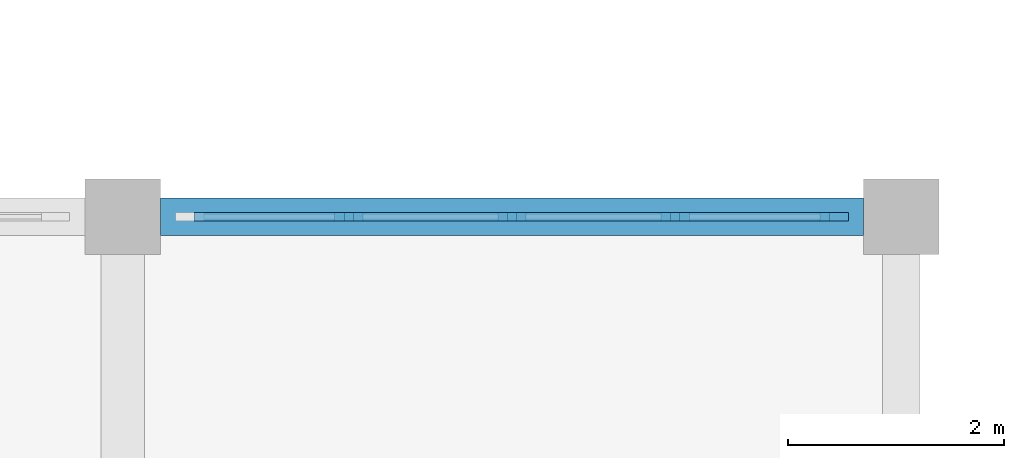
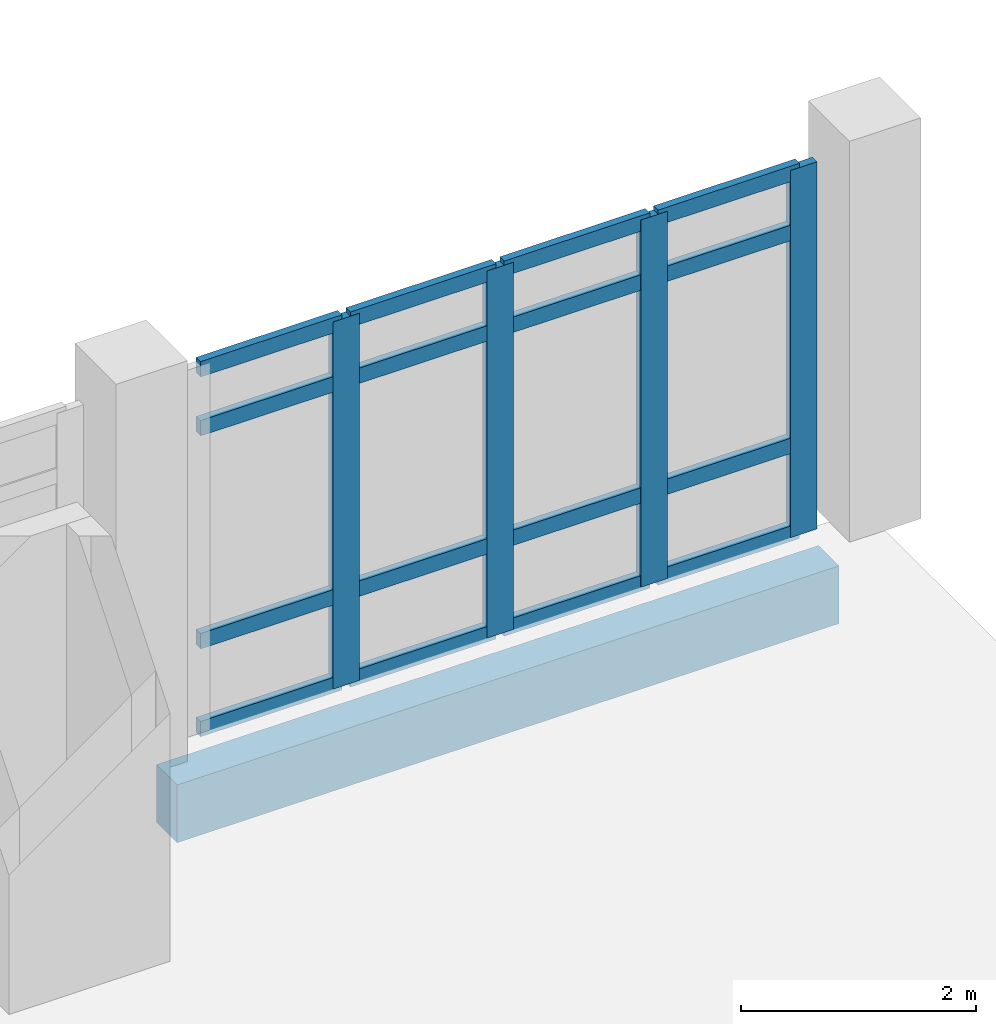
# One storey, part 22 of 62: 20 members, 1 beam, 1 element without a shape of its own.
"""IFC4 building model written with IfcOpenShell, lengths in metres."""

from ifc_helpers import new_model, si_unit, direction, frame, origin, origin_2d, place, context, subcontext, project, spatial, rectangle, extrude, material, layer, layer_set, material_profile, profile_set, type_object, element, aggregate, save


model = new_model("IFC4")

# Units and contexts
model_context = context("Model", 3, precision=1e-05, world=origin(), true_north=direction((0.0, 1.0)))
body_context = subcontext(model_context, "Body", "Model", "MODEL_VIEW")
ifc_project = project(units=[si_unit("LENGTHUNIT", "METRE"), si_unit("AREAUNIT", "SQUARE_METRE"), si_unit("VOLUMEUNIT", "CUBIC_METRE"), si_unit("PLANEANGLEUNIT", "RADIAN"), si_unit("MASSUNIT", "GRAM", prefix="KILO")], contexts=[model_context])

# Site, building, storey
site_placement = place(None, origin())
site = spatial("IfcSite", under=ifc_project, at=site_placement, CompositionType="ELEMENT")
building_placement = place(site_placement, origin())
building = spatial("IfcBuilding", under=site, at=building_placement, Name="Valkovuoma Quantum and Materials Research Institute", CompositionType="ELEMENT")
storey_placement = place(building_placement, frame((0.0, 0.0, 8.9599609375)))
storey = spatial("IfcBuildingStorey", under=building, at=storey_placement, Name="L02", CompositionType="ELEMENT", Elevation=8.9599609375)

# Beam
ifc_material_1 = material(Name="Concrete C40/50", Category="concrete")
ifc_material_profile_1 = material_profile(ifc_material_1, rectangle(XDim=0.35009765625, YDim=0.60009765625, at=origin_2d()), Name="Concrete C40/50")
ifc_profile_set_1 = profile_set([ifc_material_profile_1], Name="Concrete C40/50")
beam_type = type_object("IfcBeamType", Name="Beam-B-SPN600", PredefinedType="SPANDREL", material=ifc_profile_set_1)
beam_placement = place(storey_placement, frame((101.14990234375, 64.800048828125, -0.64990234375), z_axis=(1.0, 0.0, 0.0), x_axis=(0.0, 1.0, 0.0)))
element("IfcBeam", 1, at=beam_placement, inside=storey, type_object=beam_type, Name="L02 beam X-1079", PredefinedType="SPANDREL", context=body_context, shape_type="SweptSolid", body=[
    extrude(rectangle(XDim=0.35009765625, YDim=0.60009765625, at=origin_2d()), origin(), (0.0, 0.0, 1.0), 6.5),
])

# Curtain wall, members
ifc_material_2 = material(Name="Thermally broken aluminium and triple low-E glazing", Category="aluminium")
ifc_layer = layer(ifc_material_2, 0.219970703125)
ifc_layer_set = layer_set([ifc_layer], Name="Thermally broken aluminium and triple low-E glazing")
curtain_wall_type = type_object("IfcCurtainWallType", Name="CW-CW-02", PredefinedType="NOTDEFINED", material=ifc_layer_set)
curtain_wall_placement = place(storey_placement, origin())
curtain_wall = element("IfcCurtainWall", 2, at=curtain_wall_placement, inside=storey, type_object=curtain_wall_type, Name="L02 curtain wall 198", PredefinedType="NOTDEFINED")
ifc_material_3 = material(Name="Anodised aluminium 6060-T66", Category="aluminium")
ifc_material_profile_2 = material_profile(ifc_material_3, rectangle(XDim=0.080078125, YDim=0.260009765625, at=origin_2d()), Name="Anodised aluminium 6060-T66")
ifc_profile_set_2 = profile_set([ifc_material_profile_2], Name="Anodised aluminium 6060-T66")
member_type_1 = type_object("IfcMemberType", Name="CWMull-CWM-03", PredefinedType="MULLION", material=ifc_profile_set_2)
member_1_placement = place(storey_placement, frame((102.889892578125, 64.800048828125, 0.0), z_axis=(0.0, 0.0, 1.0), x_axis=(0.0, 1.0, 0.0)))
member_1 = element("IfcMember", 3, at=member_1_placement, type_object=member_type_1, Name="CW-02 mullion 2", PredefinedType="MULLION", context=body_context, shape_type="SweptSolid", body=[
    extrude(rectangle(XDim=0.080078125, YDim=0.260009765625, at=origin_2d()), origin(), (0.0, 0.0, 1.0), 3.81005859375),
])
member_2_placement = place(storey_placement, frame((104.39990234375, 64.800048828125, 0.0), z_axis=(0.0, 0.0, 1.0), x_axis=(0.0, 1.0, 0.0)))
member_2 = element("IfcMember", 4, at=member_2_placement, type_object=member_type_1, Name="CW-02 mullion 3", PredefinedType="MULLION", context=body_context, shape_type="SweptSolid", body=[
    extrude(rectangle(XDim=0.080078125, YDim=0.260009765625, at=origin_2d()), origin(), (0.0, 0.0, 1.0), 3.81005859375),
])
member_3_placement = place(storey_placement, frame((105.909912109375, 64.800048828125, 0.0), z_axis=(0.0, 0.0, 1.0), x_axis=(0.0, 1.0, 0.0)))
member_3 = element("IfcMember", 5, at=member_3_placement, type_object=member_type_1, Name="CW-02 mullion 4", PredefinedType="MULLION", context=body_context, shape_type="SweptSolid", body=[
    extrude(rectangle(XDim=0.080078125, YDim=0.260009765625, at=origin_2d()), origin(), (0.0, 0.0, 1.0), 3.81005859375),
])
member_4_placement = place(storey_placement, frame((107.3798828125, 64.800048828125, 0.0), z_axis=(0.0, 0.0, 1.0), x_axis=(0.0, 1.0, 0.0)))
member_4 = element("IfcMember", 6, at=member_4_placement, type_object=member_type_1, Name="CW-02 mullion 5", PredefinedType="MULLION", context=body_context, shape_type="SweptSolid", body=[
    extrude(rectangle(XDim=0.080078125, YDim=0.260009765625, at=origin_2d()), origin(), (0.0, 0.0, 1.0), 3.81005859375),
])
ifc_material_4 = material(Name="Anodised aluminium 6060-T66", Category="aluminium")
ifc_material_profile_3 = material_profile(ifc_material_4, rectangle(XDim=0.074951171875, YDim=0.159912109375, at=origin_2d()), Name="Anodised aluminium 6060-T66")
ifc_profile_set_3 = profile_set([ifc_material_profile_3], Name="Anodised aluminium 6060-T66")
member_type_2 = type_object("IfcMemberType", Name="CWTran-CWT-02", PredefinedType="USERDEFINED", material=ifc_profile_set_3)
member_5_placement = place(storey_placement, frame((101.4599609375, 64.800048828125, 0.03759765625), z_axis=(1.0, 0.0, 0.0), x_axis=(0.0, 1.0, 0.0)))
member_5 = element("IfcMember", 7, at=member_5_placement, type_object=member_type_2, Name="CW-02 transom 1.1", ObjectType="TRANSOM", PredefinedType="USERDEFINED", context=body_context, shape_type="SweptSolid", body=[
    extrude(rectangle(XDim=0.074951171875, YDim=0.159912109375, at=origin_2d()), origin(), (0.0, 0.0, 1.0), 1.39013671875),
])
member_6_placement = place(storey_placement, frame((101.4599609375, 64.800048828125, 0.949951171875), z_axis=(1.0, 0.0, 0.0), x_axis=(0.0, 1.0, 0.0)))
member_6 = element("IfcMember", 8, at=member_6_placement, type_object=member_type_2, Name="CW-02 transom 1.2", ObjectType="TRANSOM", PredefinedType="USERDEFINED", context=body_context, shape_type="SweptSolid", body=[
    extrude(rectangle(XDim=0.074951171875, YDim=0.159912109375, at=origin_2d()), origin(), (0.0, 0.0, 1.0), 1.39013671875),
])
member_7_placement = place(storey_placement, frame((101.4599609375, 64.800048828125, 3.16015625), z_axis=(1.0, 0.0, 0.0), x_axis=(0.0, 1.0, 0.0)))
member_7 = element("IfcMember", 9, at=member_7_placement, type_object=member_type_2, Name="CW-02 transom 1.3", ObjectType="TRANSOM", PredefinedType="USERDEFINED", context=body_context, shape_type="SweptSolid", body=[
    extrude(rectangle(XDim=0.074951171875, YDim=0.159912109375, at=origin_2d()), origin(), (0.0, 0.0, 1.0), 1.39013671875),
])
member_8_placement = place(storey_placement, frame((101.4599609375, 64.800048828125, 3.7724609375), z_axis=(1.0, 0.0, 0.0), x_axis=(0.0, 1.0, 0.0)))
member_8 = element("IfcMember", 10, at=member_8_placement, type_object=member_type_2, Name="CW-02 transom 1.4", ObjectType="TRANSOM", PredefinedType="USERDEFINED", context=body_context, shape_type="SweptSolid", body=[
    extrude(rectangle(XDim=0.074951171875, YDim=0.159912109375, at=origin_2d()), origin(), (0.0, 0.0, 1.0), 1.39013671875),
])
member_9_placement = place(storey_placement, frame((102.929931640625, 64.800048828125, 0.03759765625), z_axis=(1.0, 0.0, 0.0), x_axis=(0.0, 1.0, 0.0)))
member_9 = element("IfcMember", 11, at=member_9_placement, type_object=member_type_2, Name="CW-02 transom 2.1", ObjectType="TRANSOM", PredefinedType="USERDEFINED", context=body_context, shape_type="SweptSolid", body=[
    extrude(rectangle(XDim=0.074951171875, YDim=0.159912109375, at=origin_2d()), origin(), (0.0, 0.0, 1.0), 1.43017578125),
])
member_10_placement = place(storey_placement, frame((102.929931640625, 64.800048828125, 0.949951171875), z_axis=(1.0, 0.0, 0.0), x_axis=(0.0, 1.0, 0.0)))
member_10 = element("IfcMember", 12, at=member_10_placement, type_object=member_type_2, Name="CW-02 transom 2.2", ObjectType="TRANSOM", PredefinedType="USERDEFINED", context=body_context, shape_type="SweptSolid", body=[
    extrude(rectangle(XDim=0.074951171875, YDim=0.159912109375, at=origin_2d()), origin(), (0.0, 0.0, 1.0), 1.43017578125),
])
member_11_placement = place(storey_placement, frame((102.929931640625, 64.800048828125, 3.16015625), z_axis=(1.0, 0.0, 0.0), x_axis=(0.0, 1.0, 0.0)))
member_11 = element("IfcMember", 13, at=member_11_placement, type_object=member_type_2, Name="CW-02 transom 2.3", ObjectType="TRANSOM", PredefinedType="USERDEFINED", context=body_context, shape_type="SweptSolid", body=[
    extrude(rectangle(XDim=0.074951171875, YDim=0.159912109375, at=origin_2d()), origin(), (0.0, 0.0, 1.0), 1.43017578125),
])
member_12_placement = place(storey_placement, frame((102.929931640625, 64.800048828125, 3.7724609375), z_axis=(1.0, 0.0, 0.0), x_axis=(0.0, 1.0, 0.0)))
member_12 = element("IfcMember", 14, at=member_12_placement, type_object=member_type_2, Name="CW-02 transom 2.4", ObjectType="TRANSOM", PredefinedType="USERDEFINED", context=body_context, shape_type="SweptSolid", body=[
    extrude(rectangle(XDim=0.074951171875, YDim=0.159912109375, at=origin_2d()), origin(), (0.0, 0.0, 1.0), 1.43017578125),
])
member_13_placement = place(storey_placement, frame((104.43994140625, 64.800048828125, 0.03759765625), z_axis=(1.0, 0.0, 0.0), x_axis=(0.0, 1.0, 0.0)))
member_13 = element("IfcMember", 15, at=member_13_placement, type_object=member_type_2, Name="CW-02 transom 3.1", ObjectType="TRANSOM", PredefinedType="USERDEFINED", context=body_context, shape_type="SweptSolid", body=[
    extrude(rectangle(XDim=0.074951171875, YDim=0.159912109375, at=origin_2d()), origin(), (0.0, 0.0, 1.0), 1.43017578125),
])
member_14_placement = place(storey_placement, frame((104.43994140625, 64.800048828125, 0.949951171875), z_axis=(1.0, 0.0, 0.0), x_axis=(0.0, 1.0, 0.0)))
member_14 = element("IfcMember", 16, at=member_14_placement, type_object=member_type_2, Name="CW-02 transom 3.2", ObjectType="TRANSOM", PredefinedType="USERDEFINED", context=body_context, shape_type="SweptSolid", body=[
    extrude(rectangle(XDim=0.074951171875, YDim=0.159912109375, at=origin_2d()), origin(), (0.0, 0.0, 1.0), 1.43017578125),
])
member_15_placement = place(storey_placement, frame((104.43994140625, 64.800048828125, 3.16015625), z_axis=(1.0, 0.0, 0.0), x_axis=(0.0, 1.0, 0.0)))
member_15 = element("IfcMember", 17, at=member_15_placement, type_object=member_type_2, Name="CW-02 transom 3.3", ObjectType="TRANSOM", PredefinedType="USERDEFINED", context=body_context, shape_type="SweptSolid", body=[
    extrude(rectangle(XDim=0.074951171875, YDim=0.159912109375, at=origin_2d()), origin(), (0.0, 0.0, 1.0), 1.43017578125),
])
member_16_placement = place(storey_placement, frame((104.43994140625, 64.800048828125, 3.7724609375), z_axis=(1.0, 0.0, 0.0), x_axis=(0.0, 1.0, 0.0)))
member_16 = element("IfcMember", 18, at=member_16_placement, type_object=member_type_2, Name="CW-02 transom 3.4", ObjectType="TRANSOM", PredefinedType="USERDEFINED", context=body_context, shape_type="SweptSolid", body=[
    extrude(rectangle(XDim=0.074951171875, YDim=0.159912109375, at=origin_2d()), origin(), (0.0, 0.0, 1.0), 1.43017578125),
])
member_17_placement = place(storey_placement, frame((105.949951171875, 64.800048828125, 0.03759765625), z_axis=(1.0, 0.0, 0.0), x_axis=(0.0, 1.0, 0.0)))
member_17 = element("IfcMember", 19, at=member_17_placement, type_object=member_type_2, Name="CW-02 transom 4.1", ObjectType="TRANSOM", PredefinedType="USERDEFINED", context=body_context, shape_type="SweptSolid", body=[
    extrude(rectangle(XDim=0.074951171875, YDim=0.159912109375, at=origin_2d()), origin(), (0.0, 0.0, 1.0), 1.39013671875),
])
member_18_placement = place(storey_placement, frame((105.949951171875, 64.800048828125, 0.949951171875), z_axis=(1.0, 0.0, 0.0), x_axis=(0.0, 1.0, 0.0)))
member_18 = element("IfcMember", 20, at=member_18_placement, type_object=member_type_2, Name="CW-02 transom 4.2", ObjectType="TRANSOM", PredefinedType="USERDEFINED", context=body_context, shape_type="SweptSolid", body=[
    extrude(rectangle(XDim=0.074951171875, YDim=0.159912109375, at=origin_2d()), origin(), (0.0, 0.0, 1.0), 1.39013671875),
])
member_19_placement = place(storey_placement, frame((105.949951171875, 64.800048828125, 3.16015625), z_axis=(1.0, 0.0, 0.0), x_axis=(0.0, 1.0, 0.0)))
member_19 = element("IfcMember", 21, at=member_19_placement, type_object=member_type_2, Name="CW-02 transom 4.3", ObjectType="TRANSOM", PredefinedType="USERDEFINED", context=body_context, shape_type="SweptSolid", body=[
    extrude(rectangle(XDim=0.074951171875, YDim=0.159912109375, at=origin_2d()), origin(), (0.0, 0.0, 1.0), 1.39013671875),
])
member_20_placement = place(storey_placement, frame((105.949951171875, 64.800048828125, 3.7724609375), z_axis=(1.0, 0.0, 0.0), x_axis=(0.0, 1.0, 0.0)))
member_20 = element("IfcMember", 22, at=member_20_placement, type_object=member_type_2, Name="CW-02 transom 4.4", ObjectType="TRANSOM", PredefinedType="USERDEFINED", context=body_context, shape_type="SweptSolid", body=[
    extrude(rectangle(XDim=0.074951171875, YDim=0.159912109375, at=origin_2d()), origin(), (0.0, 0.0, 1.0), 1.39013671875),
])
aggregate(curtain_wall, [member_1, member_2, member_3, member_4, member_5, member_6, member_7, member_8, member_9, member_10, member_11, member_12, member_13, member_14, member_15, member_16, member_17, member_18, member_19, member_20])

save(model, "model.ifc")
